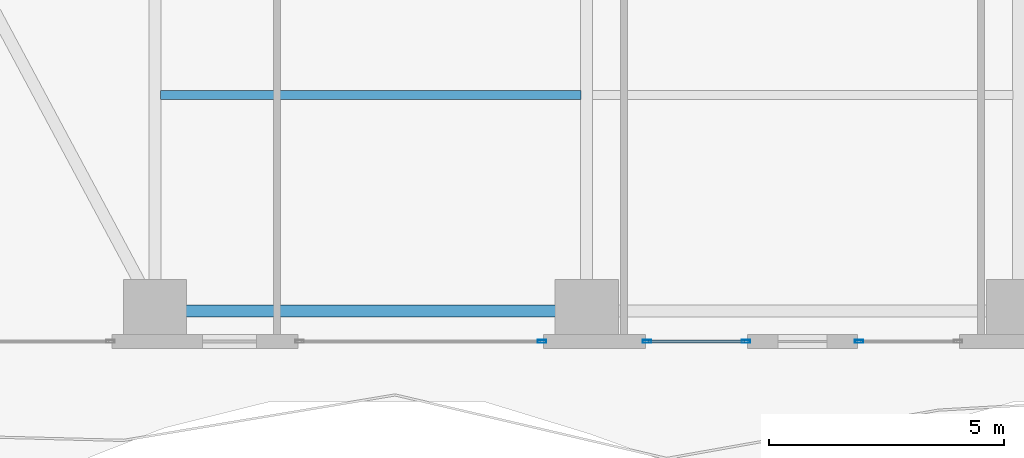
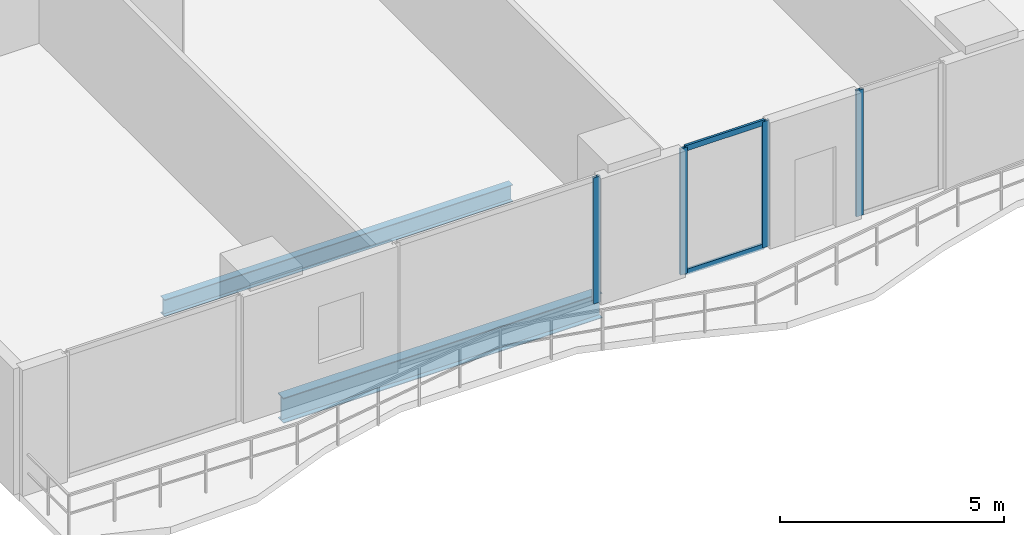
# One storey, part 4 of 28: 6 members, 2 beams, 3 elements without a shape of their own.
"""IFC4 building model written with IfcOpenShell, lengths in metres."""

from ifc_helpers import new_model, si_unit, direction, frame, origin, origin_2d, place, context, subcontext, project, spatial, hollow_rectangle, i_section, extrude, material, layer, layer_set, material_profile, profile_set, type_object, element, aggregate, save


model = new_model("IFC4")

# Units and contexts
model_context = context("Model", 3, precision=1e-05, world=origin(), true_north=direction((0.0, 1.0)))
body_context = subcontext(model_context, "Body", "Model", "MODEL_VIEW")
ifc_project = project(units=[si_unit("LENGTHUNIT", "METRE"), si_unit("AREAUNIT", "SQUARE_METRE"), si_unit("VOLUMEUNIT", "CUBIC_METRE"), si_unit("PLANEANGLEUNIT", "RADIAN"), si_unit("MASSUNIT", "GRAM", prefix="KILO")], contexts=[model_context])

# Site, building, storey
site_placement = place(None, origin())
site = spatial("IfcSite", under=ifc_project, at=site_placement, CompositionType="ELEMENT")
building_placement = place(site_placement, origin())
building = spatial("IfcBuilding", under=site, at=building_placement, Name="Zuhayl Quay Hotel", CompositionType="ELEMENT")
storey_placement = place(building_placement, frame((0.0, 0.0, 99.300048828125)))
storey = spatial("IfcBuildingStorey", under=building, at=storey_placement, Name="L24", CompositionType="ELEMENT", Elevation=99.300048828125)

# Beams
ifc_material_1 = material(Name="Steel ASTM A992 Grade 50", Category="steel")
ifc_material_profile_1 = material_profile(ifc_material_1, i_section(OverallWidth=0.25390625, OverallDepth=0.68310546875, WebThickness=0.012451171875, FlangeThickness=0.018798828125, at=origin_2d()), Name="W27X94")
ifc_profile_set_1 = profile_set([ifc_material_profile_1], Name="Steel ASTM A992 Grade 50")
beam_type_1 = type_object("IfcBeamType", Name="BM_B2_W27X94", PredefinedType="BEAM", material=ifc_profile_set_1)
beam_1_placement = place(storey_placement, frame((-13.300048828125, -14.75, -0.5615234375), z_axis=(1.0, 0.0, 0.0), x_axis=(0.0, 1.0, 0.0)))
element("IfcBeam", 1, at=beam_1_placement, inside=storey, type_object=beam_type_1, Name="L24 Floor Beam RG_L24_01", PredefinedType="BEAM", context=body_context, shape_type="SweptSolid", body=[
    extrude(i_section(OverallWidth=0.25390625, OverallDepth=0.68310546875, WebThickness=0.012451171875, FlangeThickness=0.018798828125, at=origin_2d()), origin(), (0.0, 0.0, 1.0), 8.199951171875),
])
ifc_material_profile_2 = material_profile(ifc_material_1, i_section(OverallWidth=0.18994140625, OverallDepth=0.45703125, WebThickness=0.009033203125, FlangeThickness=0.014404296875, at=origin_2d()), Name="W18X50")
ifc_profile_set_2 = profile_set([ifc_material_profile_2], Name="Steel ASTM A992 Grade 50")
beam_type_2 = type_object("IfcBeamType", Name="BM_J2_W18X50", PredefinedType="JOIST", material=ifc_profile_set_2)
beam_2_placement = place(storey_placement, frame((-13.680908203125, -10.14990234375, -0.448486328125), z_axis=(1.0, 0.0, 0.0), x_axis=(0.0, 1.0, 0.0)))
element("IfcBeam", 2, at=beam_2_placement, inside=storey, type_object=beam_type_2, Name="L24 Floor Beam FJ_L24_5_1", PredefinedType="JOIST", context=body_context, shape_type="SweptSolid", body=[
    extrude(i_section(OverallWidth=0.18994140625, OverallDepth=0.45703125, WebThickness=0.009033203125, FlangeThickness=0.014404296875, at=origin_2d()), origin(), (0.0, 0.0, 1.0), 8.9619140625),
])

# Curtain wall, member
ifc_material_2 = material(Name="Anodised Aluminium 6063-T6", Category="aluminium")
ifc_layer = layer(ifc_material_2, 0.179931640625, Name="Anodised Aluminium 6063-T6", Category="aluminium")
ifc_layer_set = layer_set([ifc_layer], Name="Anodised Aluminium 6063-T6")
curtain_wall_type = type_object("IfcCurtainWallType", Name="CW_SYS_Z2", PredefinedType="USERDEFINED", material=ifc_layer_set)
curtain_wall_1_placement = place(storey_placement, origin())
curtain_wall_1 = element("IfcCurtainWall", 3, at=curtain_wall_1_placement, inside=storey, type_object=curtain_wall_type, Name="L24 Curtain Wall ENV_L24_S_CW3", ObjectType="UNITISED CURTAIN WALL", PredefinedType="USERDEFINED")
ifc_material_3 = material(Name="Black-anodised aluminium 6063-T6", Category="aluminium")
ifc_material_profile_3 = material_profile(ifc_material_3, hollow_rectangle(XDim=0.06494140625, YDim=0.179931640625, WallThickness=0.00341796875, at=origin_2d()), Name="ALU180X65")
ifc_profile_set_3 = profile_set([ifc_material_profile_3], Name="Black-anodised aluminium 6063-T6")
member_type_1 = type_object("IfcMemberType", Name="MB_CW_MUL_180", PredefinedType="MULLION", material=ifc_profile_set_3)
member_1_placement = place(storey_placement, frame((1.20751953125, -15.39990234375, 0.0), z_axis=(0.0, 0.0, 1.0), x_axis=(0.0, -1.0, 0.0)))
member_1 = element("IfcMember", 4, at=member_1_placement, type_object=member_type_1, Name="CW-Z2 mullion 2", PredefinedType="MULLION", context=body_context, shape_type="SweptSolid", body=[
    extrude(hollow_rectangle(XDim=0.06494140625, YDim=0.179931640625, WallThickness=0.00341796875, at=origin_2d()), origin(), (0.0, 0.0, 1.0), 3.429931640625),
])
aggregate(curtain_wall_1, [member_1])

# Curtain wall, members
curtain_wall_2_placement = place(storey_placement, origin())
curtain_wall_2 = element("IfcCurtainWall", 5, at=curtain_wall_2_placement, inside=storey, type_object=curtain_wall_type, Name="L24 Curtain Wall ENV_L24_S_CW4", ObjectType="UNITISED CURTAIN WALL", PredefinedType="USERDEFINED")
member_2_placement = place(storey_placement, frame((-1.20751953125, -15.39990234375, 0.0), z_axis=(0.0, 0.0, 1.0), x_axis=(0.0, -1.0, 0.0)))
member_2 = element("IfcMember", 6, at=member_2_placement, type_object=member_type_1, Name="CW-Z2 mullion 1", PredefinedType="MULLION", context=body_context, shape_type="SweptSolid", body=[
    extrude(hollow_rectangle(XDim=0.06494140625, YDim=0.179931640625, WallThickness=0.00341796875, at=origin_2d()), origin(), (0.0, 0.0, 1.0), 3.429931640625),
])
member_3_placement = place(storey_placement, frame((-3.3173828125, -15.39990234375, 0.0), z_axis=(0.0, 0.0, 1.0), x_axis=(0.0, -1.0, 0.0)))
member_3 = element("IfcMember", 7, at=member_3_placement, type_object=member_type_1, Name="CW-Z2 mullion 2", PredefinedType="MULLION", context=body_context, shape_type="SweptSolid", body=[
    extrude(hollow_rectangle(XDim=0.06494140625, YDim=0.179931640625, WallThickness=0.00341796875, at=origin_2d()), origin(), (0.0, 0.0, 1.0), 3.429931640625),
])

# Curtain wall, member
curtain_wall_3_placement = place(storey_placement, origin())
curtain_wall_3 = element("IfcCurtainWall", 8, at=curtain_wall_3_placement, inside=storey, type_object=curtain_wall_type, Name="L24 Curtain Wall ENV_L24_S_CW5", ObjectType="UNITISED CURTAIN WALL", PredefinedType="USERDEFINED")
member_4_placement = place(storey_placement, frame((-5.552490234375, -15.39990234375, 0.0), z_axis=(0.0, 0.0, 1.0), x_axis=(0.0, -1.0, 0.0)))
member_4 = element("IfcMember", 9, at=member_4_placement, type_object=member_type_1, Name="CW-Z2 mullion 1", PredefinedType="MULLION", context=body_context, shape_type="SweptSolid", body=[
    extrude(hollow_rectangle(XDim=0.06494140625, YDim=0.179931640625, WallThickness=0.00341796875, at=origin_2d()), origin(), (0.0, 0.0, 1.0), 3.429931640625),
])
aggregate(curtain_wall_3, [member_4])

# Member
ifc_material_profile_4 = material_profile(ifc_material_3, hollow_rectangle(XDim=0.06005859375, YDim=0.14990234375, WallThickness=0.00341796875, at=origin_2d()), Name="ALU150X60")
ifc_profile_set_4 = profile_set([ifc_material_profile_4], Name="Black-anodised aluminium 6063-T6")
member_type_2 = type_object("IfcMemberType", Name="MB_CW_TRN_150", PredefinedType="USERDEFINED", material=ifc_profile_set_4)
member_5_placement = place(storey_placement, frame((-1.239990234375, -15.39990234375, 0.030029296875), z_axis=(-1.0, 0.0, 0.0), x_axis=(0.0, -1.0, 0.0)))
member_5 = element("IfcMember", 10, at=member_5_placement, type_object=member_type_2, Name="CW-Z2 transom 1.1", ObjectType="TRANSOM", PredefinedType="USERDEFINED", context=body_context, shape_type="SweptSolid", body=[
    extrude(hollow_rectangle(XDim=0.06005859375, YDim=0.14990234375, WallThickness=0.00341796875, at=origin_2d()), origin(), (0.0, 0.0, 1.0), 2.044921875),
])

member_6_placement = place(storey_placement, frame((-1.239990234375, -15.39990234375, 3.39990234375), z_axis=(-1.0, 0.0, 0.0), x_axis=(0.0, -1.0, 0.0)))
member_6 = element("IfcMember", 11, at=member_6_placement, type_object=member_type_2, Name="CW-Z2 transom 1.2", ObjectType="TRANSOM", PredefinedType="USERDEFINED", context=body_context, shape_type="SweptSolid", body=[
    extrude(hollow_rectangle(XDim=0.06005859375, YDim=0.14990234375, WallThickness=0.00341796875, at=origin_2d()), origin(), (0.0, 0.0, 1.0), 2.044921875),
])

aggregate(curtain_wall_2, [member_2, member_3, member_5, member_6])

save(model, "model.ifc")
